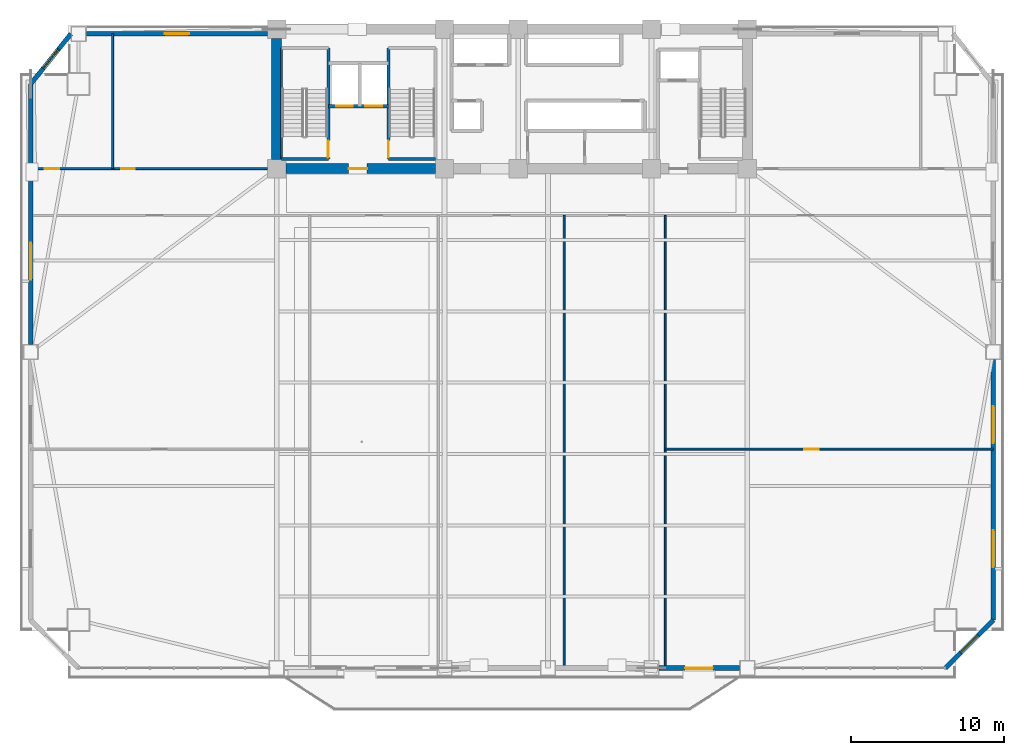
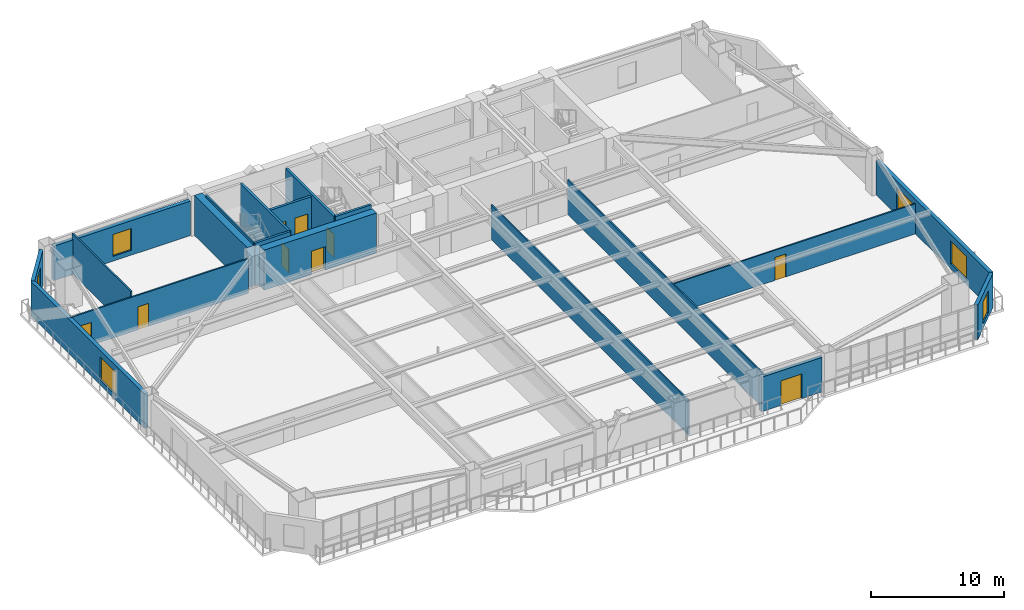
# One storey, part 10 of 18: 19 walls, 9 doors, 6 windows, 15 openings.
"""IFC4 building model written with IfcOpenShell, lengths in metres."""

from ifc_helpers import new_model, si_unit, direction, frame, frame_2d, origin, place, context, subcontext, project, spatial, rectangle, extrude, source, transform, mapped, material, layer, layer_set, type_object, element, fill, save


model = new_model("IFC4")

# Units and contexts
model_context = context("Model", 3, precision=1e-05, world=origin(), true_north=direction((0.0, 1.0)))
body_context = subcontext(model_context, "Body", "Model", "MODEL_VIEW")
ifc_project = project(units=[si_unit("LENGTHUNIT", "METRE"), si_unit("AREAUNIT", "SQUARE_METRE"), si_unit("VOLUMEUNIT", "CUBIC_METRE"), si_unit("PLANEANGLEUNIT", "RADIAN"), si_unit("MASSUNIT", "GRAM", prefix="KILO")], contexts=[model_context])

# Site, building, storey
site_placement = place(None, origin())
site = spatial("IfcSite", under=ifc_project, at=site_placement, CompositionType="ELEMENT")
building_placement = place(site_placement, origin())
building = spatial("IfcBuilding", under=site, at=building_placement, Name="Giltprow Tower", CompositionType="ELEMENT")
storey_placement = place(building_placement, frame((0.0, 0.0, 61.10009765625)))
storey = spatial("IfcBuildingStorey", under=building, at=storey_placement, Name="L15", CompositionType="ELEMENT", Elevation=61.10009765625)

# Wall, opening, window
ifc_material_1 = material(Name="Precast concrete C40", Category="concrete")
ifc_layer_1 = layer(ifc_material_1, 0.300048828125, Name="Precast concrete C40")
ifc_layer_set_1 = layer_set([ifc_layer_1], Name="Precast concrete C40")
wall_type_1 = type_object("IfcWallType", Name="EW-NOTCH-CHAMFER-300", PredefinedType="SOLIDWALL", material=ifc_layer_set_1)
wall_1_placement = place(storey_placement, frame((63.47412109375, 4.882080078125, 0.0), z_axis=(0.0, 0.0, 1.0), x_axis=(0.707106781187, 0.707106781187, 0.0)))
wall_1 = element("IfcWall", 1, at=wall_1_placement, inside=storey, type_object=wall_type_1, Name="L15 Corner Notch Wall SE", PredefinedType="SOLIDWALL", context=body_context, shape_type="SweptSolid", body=[
    extrude(rectangle(XDim=4.4150390625, YDim=0.300048828125, at=frame_2d((2.20751953125, 0.0))), origin(), (0.0, 0.0, 1.0), 3.159912109375),
])
opening_1_placement = place(wall_1_placement, frame((1.407958984375, 0.0, 0.449951171875)))
opening_1 = element("IfcOpeningElement", 2, at=opening_1_placement, cuts=wall_1, Name="Opening WN17", PredefinedType="OPENING", context=body_context, shape_type="SweptSolid", body=[
    extrude(rectangle(XDim=1.60009765625, YDim=2.0, at=frame_2d((0.800048828125, 1.0))), frame((0.0, 0.159912109375, 0.0), z_axis=(0.0, -1.0, 0.0), x_axis=(1.0, 0.0, 0.0)), (0.0, 0.0, 1.0), 0.320068359375),
])
ifc_material_2 = material(Name="Insulated glass", Category="glass")
window_type_1 = type_object("IfcWindowType", Name="WN-COR-1600x2000", PartitioningType="SINGLE_PANEL", PredefinedType="WINDOW", material=ifc_material_2)
shared_shape_1 = source(origin(), body_context, "Body", "SweptSolid", [
    extrude(rectangle(XDim=1.60009765625, YDim=2.0, at=frame_2d((0.800048828125, 1.0))), frame((0.0, 0.030029296875, 0.0), z_axis=(0.0, -1.0, 0.0), x_axis=(1.0, 0.0, 0.0)), (0.0, 0.0, 1.0), 0.06005859375),
])
window_1_placement = place(opening_1_placement, origin())
window_1 = element("IfcWindow", 3, at=window_1_placement, inside=storey, type_object=window_type_1, Name="L15 Corner Notch Window SE", OverallHeight=2.0, OverallWidth=1.60009765625, PartitioningType="SINGLE_PANEL", PredefinedType="WINDOW", context=body_context, shape_type="MappedRepresentation", body=[
    mapped(shared_shape_1, transform((0.0, 0.0, 0.0), x_axis=(1.0, 0.0, 0.0), y_axis=(0.0, 1.0, 0.0), z_axis=(0.0, 0.0, 1.0), scale=1.0)),
])
fill(opening_1, window_1)

wall_2_placement = place(storey_placement, frame((6.427001953125, 46.25, 0.0), z_axis=(0.0, 0.0, 1.0), x_axis=(-0.625348097159, -0.780345921614, 0.0)))
wall_2 = element("IfcWall", 4, at=wall_2_placement, inside=storey, type_object=wall_type_1, Name="L15 Corner Notch Wall NW", PredefinedType="SOLIDWALL", context=body_context, shape_type="SweptSolid", body=[
    extrude(rectangle(XDim=4.19287109375, YDim=0.300048828125, at=frame_2d((2.096435546875, 0.0))), origin(), (0.0, 0.0, 1.0), 3.159912109375),
])
opening_2_placement = place(wall_2_placement, frame((1.2958984375, 0.0, 0.449951171875)))
opening_2 = element("IfcOpeningElement", 5, at=opening_2_placement, cuts=wall_2, Name="Opening WN17", PredefinedType="OPENING", context=body_context, shape_type="SweptSolid", body=[
    extrude(rectangle(XDim=1.60009765625, YDim=2.0, at=frame_2d((0.800048828125, 1.0))), frame((0.0, 0.159912109375, 0.0), z_axis=(0.0, -1.0, 0.0), x_axis=(1.0, 0.0, 0.0)), (0.0, 0.0, 1.0), 0.320068359375),
])
window_2_placement = place(opening_2_placement, origin())
window_2 = element("IfcWindow", 6, at=window_2_placement, inside=storey, type_object=window_type_1, Name="L15 Corner Notch Window NW", OverallHeight=2.0, OverallWidth=1.60009765625, PartitioningType="SINGLE_PANEL", PredefinedType="WINDOW", context=body_context, shape_type="MappedRepresentation", body=[
    mapped(shared_shape_1, transform((0.0, 0.0, 0.0), x_axis=(1.0, 0.0, 0.0), y_axis=(0.0, 1.0, 0.0), z_axis=(0.0, 0.0, 1.0), scale=1.0)),
])
fill(opening_2, window_2)

# Wall, opening, door
ifc_layer_2 = layer(ifc_material_1, 0.320068359375, Name="Precast concrete C40")
ifc_layer_set_2 = layer_set([ifc_layer_2], Name="Precast concrete C40")
wall_type_2 = type_object("IfcWallType", Name="EW-TOW-STONE-320", PredefinedType="SOLIDWALL", material=ifc_layer_set_2)
wall_3_placement = place(storey_placement, frame((44.800048828125, 4.882080078125, 0.0), z_axis=(0.0, 0.0, 1.0), x_axis=(1.0, 0.0, 0.0)))
wall_3 = element("IfcWall", 7, at=wall_3_placement, inside=storey, type_object=wall_type_2, Name="L15 South Expressed Frame Wall 5", PredefinedType="SOLIDWALL", context=body_context, shape_type="SweptSolid", body=[
    extrude(rectangle(XDim=5.25, YDim=0.320068359375, at=frame_2d((2.625, 0.0))), origin(), (0.0, 0.0, 1.0), 3.159912109375),
])
opening_3_placement = place(wall_3_placement, frame((1.699951171875, 0.0, 0.0)))
opening_3 = element("IfcOpeningElement", 8, at=opening_3_placement, cuts=wall_3, Name="Opening ED25", PredefinedType="OPENING", context=body_context, shape_type="SweptSolid", body=[
    extrude(rectangle(XDim=1.800048828125, YDim=2.25, at=frame_2d((0.89990234375, 1.125))), frame((0.0, 0.169921875, 0.0), z_axis=(0.0, -1.0, 0.0), x_axis=(1.0, 0.0, 0.0)), (0.0, 0.0, 1.0), 0.340087890625),
])
ifc_material_3 = material(Name="Anodized bronze and glass", Category="glass")
door_type_1 = type_object("IfcDoorType", Name="DR-BALC-SLIDE-1800", OperationType="SLIDING_TO_LEFT", PredefinedType="DOOR", material=ifc_material_3)
shared_shape_2 = source(origin(), body_context, "Body", "SweptSolid", [
    extrude(rectangle(XDim=1.800048828125, YDim=2.25, at=frame_2d((0.89990234375, 1.125))), frame((0.0, 0.02490234375, 0.0), z_axis=(0.0, -1.0, 0.0), x_axis=(1.0, 0.0, 0.0)), (0.0, 0.0, 1.0), 0.050048828125),
])
door_1_placement = place(opening_3_placement, origin())
door_1 = element("IfcDoor", 9, at=door_1_placement, inside=storey, type_object=door_type_1, Name="L15 Waterfront Balcony Sliding Door 2", OperationType="SLIDING_TO_LEFT", OverallHeight=2.25, OverallWidth=1.800048828125, PredefinedType="DOOR", context=body_context, shape_type="MappedRepresentation", body=[
    mapped(shared_shape_2, transform((0.0, 0.0, 0.0), x_axis=(1.0, 0.0, 0.0), y_axis=(0.0, 1.0, 0.0), z_axis=(0.0, 0.0, 1.0), scale=1.0)),
])
fill(opening_3, door_1)

# Wall, opening, window
wall_4_placement = place(storey_placement, frame((3.804931640625, 25.990966796875, 0.0), z_axis=(0.0, 0.0, 1.0), x_axis=(0.0, 1.0, 0.0)))
wall_4 = element("IfcWall", 10, at=wall_4_placement, inside=storey, type_object=wall_type_2, Name="L15 W Wing Masonry Wall 2", PredefinedType="SOLIDWALL", context=body_context, shape_type="SweptSolid", body=[
    extrude(rectangle(XDim=16.987060546875, YDim=0.320068359375, at=frame_2d((8.49365234375, 0.0))), origin(), (0.0, 0.0, 1.0), 3.159912109375),
])
opening_4_placement = place(wall_4_placement, frame((4.222900390625, 0.0, 0.449951171875)))
opening_4 = element("IfcOpeningElement", 11, at=opening_4_placement, cuts=wall_4, Name="Opening WN29", PredefinedType="OPENING", context=body_context, shape_type="SweptSolid", body=[
    extrude(rectangle(XDim=2.39990234375, YDim=2.10009765625, at=frame_2d((1.199951171875, 1.050048828125))), frame((0.0, 0.169921875, 0.0), z_axis=(0.0, -1.0, 0.0), x_axis=(1.0, 0.0, 0.0)), (0.0, 0.0, 1.0), 0.340087890625),
])
window_type_2 = type_object("IfcWindowType", Name="WN-OFF-2400x2100", PartitioningType="DOUBLE_PANEL_VERTICAL", PredefinedType="WINDOW", material=ifc_material_2)
shared_shape_3 = source(origin(), body_context, "Body", "SweptSolid", [
    extrude(rectangle(XDim=2.39990234375, YDim=2.10009765625, at=frame_2d((1.199951171875, 1.050048828125))), frame((0.0, 0.030029296875, 0.0), z_axis=(0.0, -1.0, 0.0), x_axis=(1.0, 0.0, 0.0)), (0.0, 0.0, 1.0), 0.06005859375),
])
window_3_placement = place(opening_4_placement, origin())
window_3 = element("IfcWindow", 12, at=window_3_placement, inside=storey, type_object=window_type_2, Name="L15 W Wing Window 2-1", OverallHeight=2.10009765625, OverallWidth=2.39990234375, PartitioningType="SINGLE_PANEL", PredefinedType="WINDOW", context=body_context, shape_type="MappedRepresentation", body=[
    mapped(shared_shape_3, transform((0.0, 0.0, 0.0), x_axis=(1.0, 0.0, 0.0), y_axis=(0.0, 1.0, 0.0), z_axis=(0.0, 0.0, 1.0), scale=1.0)),
])
fill(opening_4, window_3)

# Wall, openings, windows
wall_5_placement = place(storey_placement, frame((66.595947265625, 8.00390625, 0.0), z_axis=(0.0, 0.0, 1.0), x_axis=(0.0, 1.0, 0.0)))
wall_5 = element("IfcWall", 13, at=wall_5_placement, inside=storey, type_object=wall_type_2, Name="L15 E Wing Masonry Wall 1", PredefinedType="SOLIDWALL", context=body_context, shape_type="SweptSolid", body=[
    extrude(rectangle(XDim=16.987060546875, YDim=0.320068359375, at=frame_2d((8.49365234375, 0.0))), origin(), (0.0, 0.0, 1.0), 3.159912109375),
])
opening_5_placement = place(wall_5_placement, frame((3.45703125, 0.0, 0.449951171875)))
opening_5 = element("IfcOpeningElement", 14, at=opening_5_placement, cuts=wall_5, Name="Opening WN29", PredefinedType="OPENING", context=body_context, shape_type="SweptSolid", body=[
    extrude(rectangle(XDim=2.39990234375, YDim=2.10009765625, at=frame_2d((1.199951171875, 1.050048828125))), frame((0.0, 0.169921875, 0.0), z_axis=(0.0, -1.0, 0.0), x_axis=(1.0, 0.0, 0.0)), (0.0, 0.0, 1.0), 0.340087890625),
])
opening_6_placement = place(wall_5_placement, frame((11.551025390625, 0.0, 0.449951171875)))
opening_6 = element("IfcOpeningElement", 15, at=opening_6_placement, cuts=wall_5, Name="Opening WN29", PredefinedType="OPENING", context=body_context, shape_type="SweptSolid", body=[
    extrude(rectangle(XDim=2.39990234375, YDim=2.10009765625, at=frame_2d((1.199951171875, 1.050048828125))), frame((0.0, 0.169921875, 0.0), z_axis=(0.0, -1.0, 0.0), x_axis=(1.0, 0.0, 0.0)), (0.0, 0.0, 1.0), 0.340087890625),
])
window_4_placement = place(opening_5_placement, origin())
window_4 = element("IfcWindow", 16, at=window_4_placement, inside=storey, type_object=window_type_2, Name="L15 E Wing Window 1-1A", OverallHeight=2.10009765625, OverallWidth=2.39990234375, PartitioningType="SINGLE_PANEL", PredefinedType="WINDOW", context=body_context, shape_type="MappedRepresentation", body=[
    mapped(shared_shape_3, transform((0.0, 0.0, 0.0), x_axis=(1.0, 0.0, 0.0), y_axis=(0.0, 1.0, 0.0), z_axis=(0.0, 0.0, 1.0), scale=1.0)),
])
fill(opening_5, window_4)
window_5_placement = place(opening_6_placement, origin())
window_5 = element("IfcWindow", 17, at=window_5_placement, inside=storey, type_object=window_type_2, Name="L15 E Wing Window 1-1B", OverallHeight=2.10009765625, OverallWidth=2.39990234375, PartitioningType="SINGLE_PANEL", PredefinedType="WINDOW", context=body_context, shape_type="MappedRepresentation", body=[
    mapped(shared_shape_3, transform((0.0, 0.0, 0.0), x_axis=(1.0, 0.0, 0.0), y_axis=(0.0, 1.0, 0.0), z_axis=(0.0, 0.0, 1.0), scale=1.0)),
])
fill(opening_6, window_5)

# Wall, opening, window
wall_6_placement = place(storey_placement, frame((7.427001953125, 46.25, 0.0), z_axis=(0.0, 0.0, 1.0), x_axis=(1.0, 0.0, 0.0)))
wall_6 = element("IfcWall", 18, at=wall_6_placement, inside=storey, type_object=wall_type_2, Name="L15 North-West Wing Wall", PredefinedType="SOLIDWALL", context=body_context, shape_type="SweptSolid", body=[
    extrude(rectangle(XDim=11.822998046875, YDim=0.320068359375, at=frame_2d((5.91162109375, 0.0))), origin(), (0.0, 0.0, 1.0), 3.159912109375),
])
opening_7_placement = place(wall_6_placement, frame((5.112060546875, 0.0, 0.449951171875)))
opening_7 = element("IfcOpeningElement", 19, at=opening_7_placement, cuts=wall_6, Name="Opening WN17", PredefinedType="OPENING", context=body_context, shape_type="SweptSolid", body=[
    extrude(rectangle(XDim=1.60009765625, YDim=2.0, at=frame_2d((0.800048828125, 1.0))), frame((0.0, 0.169921875, 0.0), z_axis=(0.0, -1.0, 0.0), x_axis=(1.0, 0.0, 0.0)), (0.0, 0.0, 1.0), 0.340087890625),
])
window_6_placement = place(opening_7_placement, origin())
window_6 = element("IfcWindow", 20, at=window_6_placement, inside=storey, type_object=window_type_1, Name="L15 North-West Window", OverallHeight=2.0, OverallWidth=1.60009765625, PartitioningType="SINGLE_PANEL", PredefinedType="WINDOW", context=body_context, shape_type="MappedRepresentation", body=[
    mapped(shared_shape_1, transform((0.0, 0.0, 0.0), x_axis=(1.0, 0.0, 0.0), y_axis=(0.0, 1.0, 0.0), z_axis=(0.0, 0.0, 1.0), scale=1.0)),
])
fill(opening_7, window_6)

# Walls
ifc_material_4 = material(Name="Gypsum stud partition", Category="gypsum")
ifc_layer_3 = layer(ifc_material_4, 0.1201171875, Name="Gypsum stud partition")
ifc_layer_set_3 = layer_set([ifc_layer_3], Name="Gypsum stud partition")
wall_type_3 = type_object("IfcWallType", Name="IW-ROOM-120", PredefinedType="PARTITIONING", material=ifc_layer_set_3)
for number, where, z_axis, x_axis, name in (
    (21, (38.60009765625, 4.882080078125, 0.0), (0.0, 0.0, 1.0), (0.0, 1.0, 0.0), "L15 Office Partition 3"),
    (22, (45.199951171875, 4.882080078125, 0.0), (0.0, 0.0, 1.0), (0.0, 1.0, 0.0), "L15 Office Partition 4"),
):
    element("IfcWall", number, at=place(storey_placement, frame(where, z_axis=z_axis, x_axis=x_axis)), inside=storey, type_object=wall_type_3, Name=name, PredefinedType="PARTITIONING", context=body_context, shape_type="SweptSolid", body=[
        extrude(rectangle(XDim=29.517822265625, YDim=0.1201171875, at=frame_2d((14.7587890625, 0.0))), origin(), (0.0, 0.0, 1.0), 3.164794921875),
    ])

# Wall, opening, door
wall_7_placement = place(storey_placement, frame((45.199951171875, 19.155029296875, 0.0), z_axis=(0.0, 0.0, 1.0), x_axis=(1.0, 0.0, 0.0)))
wall_7 = element("IfcWall", 23, at=wall_7_placement, inside=storey, type_object=wall_type_3, Name="L15 Office Mid Wall 5", PredefinedType="PARTITIONING", context=body_context, shape_type="SweptSolid", body=[
    extrude(rectangle(XDim=21.39599609375, YDim=0.1201171875, at=frame_2d((10.697998046875, 0.0))), origin(), (0.0, 0.0, 1.0), 2.764892578125),
])
opening_8_placement = place(wall_7_placement, frame((9.06494140625, 0.0, 0.0)))
opening_8 = element("IfcOpeningElement", 24, at=opening_8_placement, cuts=wall_7, Name="Opening ID11", PredefinedType="OPENING", context=body_context, shape_type="SweptSolid", body=[
    extrude(rectangle(XDim=0.949951171875, YDim=2.10009765625, at=frame_2d((0.47509765625, 1.050048828125))), frame((0.0, 0.070068359375, 0.0), z_axis=(0.0, -1.0, 0.0), x_axis=(1.0, 0.0, 0.0)), (0.0, 0.0, 1.0), 0.14013671875),
])
ifc_material_5 = material(Name="Engineered timber", Category="wood")
door_type_2 = type_object("IfcDoorType", Name="DR-ROOM-950", OperationType="SINGLE_SWING_RIGHT", PredefinedType="DOOR", material=ifc_material_5)
shared_shape_4 = source(origin(), body_context, "Body", "SweptSolid", [
    extrude(rectangle(XDim=0.949951171875, YDim=2.10009765625, at=frame_2d((0.47509765625, 1.050048828125))), frame((0.0, 0.02490234375, 0.0), z_axis=(0.0, -1.0, 0.0), x_axis=(1.0, 0.0, 0.0)), (0.0, 0.0, 1.0), 0.050048828125),
])
door_2_placement = place(opening_8_placement, origin())
door_2 = element("IfcDoor", 25, at=door_2_placement, inside=storey, type_object=door_type_2, Name="L15 Artisan Studio Shop 5 Inner Door", OperationType="SINGLE_SWING_RIGHT", OverallHeight=2.10009765625, OverallWidth=0.949951171875, PredefinedType="DOOR", context=body_context, shape_type="MappedRepresentation", body=[
    mapped(shared_shape_4, transform((0.0, 0.0, 0.0), x_axis=(1.0, 0.0, 0.0), y_axis=(0.0, 1.0, 0.0), z_axis=(0.0, 0.0, 1.0), scale=1.0)),
])
fill(opening_8, door_2)

# Wall, openings, doors
ifc_material_6 = material(Name="Concrete C40", Category="concrete")
ifc_layer_4 = layer(ifc_material_6, 0.219970703125, Name="Concrete C40")
ifc_layer_set_4 = layer_set([ifc_layer_4], Name="Concrete C40")
wall_type_4 = type_object("IfcWallType", Name="IW-SHAFT-220", PredefinedType="SOLIDWALL", material=ifc_layer_set_4)
wall_8_placement = place(storey_placement, frame((23.219970703125, 41.52001953125, 0.0), z_axis=(0.0, 0.0, 1.0), x_axis=(1.0, 0.0, 0.0)))
wall_8 = element("IfcWall", 26, at=wall_8_placement, inside=storey, type_object=wall_type_4, Name="L15 FFL1 and Service Lift Front Wall", PredefinedType="SOLIDWALL", context=body_context, shape_type="SweptSolid", body=[
    extrude(rectangle(XDim=3.919921875, YDim=0.219970703125, at=frame_2d((1.9599609375, 0.0))), origin(), (0.0, 0.0, 1.0), 3.679931640625),
])
opening_9_placement = place(wall_8_placement, frame((0.5, 0.0, 0.0)))
opening_9 = element("IfcOpeningElement", 27, at=opening_9_placement, cuts=wall_8, Name="Opening LD-11", PredefinedType="OPENING", context=body_context, shape_type="SweptSolid", body=[
    extrude(rectangle(XDim=1.10009765625, YDim=2.199951171875, at=frame_2d((0.550048828125, 1.10009765625))), frame((0.0, 0.119873046875, 0.0), z_axis=(0.0, -1.0, 0.0), x_axis=(1.0, 0.0, 0.0)), (0.0, 0.0, 1.0), 0.239990234375),
])
opening_10_placement = place(wall_8_placement, frame((2.39990234375, 0.0, 0.0)))
opening_10 = element("IfcOpeningElement", 28, at=opening_10_placement, cuts=wall_8, Name="Opening LD-11", PredefinedType="OPENING", context=body_context, shape_type="SweptSolid", body=[
    extrude(rectangle(XDim=1.10009765625, YDim=2.199951171875, at=frame_2d((0.550048828125, 1.10009765625))), frame((0.0, 0.119873046875, 0.0), z_axis=(0.0, -1.0, 0.0), x_axis=(1.0, 0.0, 0.0)), (0.0, 0.0, 1.0), 0.239990234375),
])
ifc_material_7 = material(Name="Stainless steel", Category="steel")
door_type_3 = type_object("IfcDoorType", Name="DR-LIFT-LD1100", OperationType="SLIDING_TO_LEFT", PredefinedType="DOOR", material=ifc_material_7)
shared_shape_5 = source(origin(), body_context, "Body", "SweptSolid", [
    extrude(rectangle(XDim=1.10009765625, YDim=2.199951171875, at=frame_2d((0.550048828125, 1.10009765625))), frame((0.0, 0.02490234375, 0.0), z_axis=(0.0, -1.0, 0.0), x_axis=(1.0, 0.0, 0.0)), (0.0, 0.0, 1.0), 0.050048828125),
])
door_3_placement = place(opening_9_placement, origin())
door_3 = element("IfcDoor", 29, at=door_3_placement, inside=storey, type_object=door_type_3, Name="L15 FFL1 Landing Door", OperationType="SLIDING_TO_LEFT", OverallHeight=2.199951171875, OverallWidth=1.10009765625, PredefinedType="DOOR", context=body_context, shape_type="MappedRepresentation", body=[
    mapped(shared_shape_5, transform((0.0, 0.0, 0.0), x_axis=(1.0, 0.0, 0.0), y_axis=(0.0, 1.0, 0.0), z_axis=(0.0, 0.0, 1.0), scale=1.0)),
])
fill(opening_9, door_3)
door_4_placement = place(opening_10_placement, origin())
door_4 = element("IfcDoor", 30, at=door_4_placement, inside=storey, type_object=door_type_3, Name="L15 SVL1 Landing Door", OperationType="SLIDING_TO_LEFT", OverallHeight=2.199951171875, OverallWidth=1.10009765625, PredefinedType="DOOR", context=body_context, shape_type="MappedRepresentation", body=[
    mapped(shared_shape_5, transform((0.0, 0.0, 0.0), x_axis=(1.0, 0.0, 0.0), y_axis=(0.0, 1.0, 0.0), z_axis=(0.0, 0.0, 1.0), scale=1.0)),
])
fill(opening_10, door_4)

# Wall
ifc_material_8 = material(Name="Concrete C45", Category="concrete")
ifc_layer_5 = layer(ifc_material_8, 0.139892578125, Name="Concrete C45")
ifc_layer_set_5 = layer_set([ifc_layer_5], Name="Concrete C45")
wall_type_5 = type_object("IfcWallType", Name="IW-STAIR-140", PredefinedType="SOLIDWALL", material=ifc_layer_set_5)
wall_9_placement = place(storey_placement, frame((20.169921875, 38.070068359375, 0.0), z_axis=(0.0, 0.0, 1.0), x_axis=(0.0, 1.0, 0.0)))
element("IfcWall", 31, at=wall_9_placement, inside=storey, type_object=wall_type_5, Name="L15 Stair ST-1 West Bearing Wall", PredefinedType="SOLIDWALL", context=body_context, shape_type="SweptSolid", body=[
    extrude(rectangle(XDim=7.25, YDim=0.139892578125, at=frame_2d((3.625, 0.0))), origin(), (0.0, 0.0, 1.0), 3.89990234375),
])

# Wall, opening, door
ifc_layer_6 = layer(ifc_material_6, 0.199951171875, Name="Concrete C40")
ifc_layer_set_6 = layer_set([ifc_layer_6], Name="Concrete C40")
wall_type_6 = type_object("IfcWallType", Name="IW-STAIR-200", PredefinedType="SOLIDWALL", material=ifc_layer_set_6)
wall_10_placement = place(storey_placement, frame((23.219970703125, 38.070068359375, 0.0), z_axis=(0.0, 0.0, 1.0), x_axis=(0.0, 1.0, 0.0)))
wall_10 = element("IfcWall", 32, at=wall_10_placement, inside=storey, type_object=wall_type_6, Name="L15 Stair ST-1 East Bearing Wall", PredefinedType="SOLIDWALL", context=body_context, shape_type="SweptSolid", body=[
    extrude(rectangle(XDim=7.25, YDim=0.199951171875, at=frame_2d((3.625, 0.0))), origin(), (0.0, 0.0, 1.0), 3.89990234375),
])
opening_11_placement = place(wall_10_placement, frame((0.110107421875, 0.0, 0.0)))
opening_11 = element("IfcOpeningElement", 33, at=opening_11_placement, cuts=wall_10, Name="Opening ID33", PredefinedType="OPENING", context=body_context, shape_type="SweptSolid", body=[
    extrude(rectangle(XDim=1.10009765625, YDim=2.14990234375, at=frame_2d((0.550048828125, 1.074951171875))), frame((0.0, 0.10986328125, 0.0), z_axis=(0.0, -1.0, 0.0), x_axis=(1.0, 0.0, 0.0)), (0.0, 0.0, 1.0), 0.219970703125),
])
ifc_material_9 = material(Name="Steel fire leaf", Category="steel")
door_type_4 = type_object("IfcDoorType", Name="DR-STAIR-1100", OperationType="SINGLE_SWING_LEFT", PredefinedType="DOOR", material=ifc_material_9)
shared_shape_6 = source(origin(), body_context, "Body", "SweptSolid", [
    extrude(rectangle(XDim=1.10009765625, YDim=2.14990234375, at=frame_2d((0.550048828125, 1.074951171875))), frame((0.0, 0.02490234375, 0.0), z_axis=(0.0, -1.0, 0.0), x_axis=(1.0, 0.0, 0.0)), (0.0, 0.0, 1.0), 0.050048828125),
])
door_5_placement = place(opening_11_placement, origin())
door_5 = element("IfcDoor", 34, at=door_5_placement, inside=storey, type_object=door_type_4, Name="L15 Stair ST-1 Fire Door", OperationType="SINGLE_SWING_LEFT", OverallHeight=2.14990234375, OverallWidth=1.10009765625, PredefinedType="DOOR", context=body_context, shape_type="MappedRepresentation", body=[
    mapped(shared_shape_6, transform((0.0, 0.0, 0.0), x_axis=(1.0, 0.0, 0.0), y_axis=(0.0, 1.0, 0.0), z_axis=(0.0, 0.0, 1.0), scale=1.0)),
])
fill(opening_11, door_5)

# Wall
wall_11_placement = place(storey_placement, frame((20.169921875, 38.070068359375, 0.0), z_axis=(0.0, 0.0, 1.0), x_axis=(1.0, 0.0, 0.0)))
element("IfcWall", 35, at=wall_11_placement, inside=storey, type_object=wall_type_6, Name="L15 Stair ST-1 South Bearing Wall", PredefinedType="SOLIDWALL", context=body_context, shape_type="SweptSolid", body=[
    extrude(rectangle(XDim=3.050048828125, YDim=0.199951171875, at=frame_2d((1.52490234375, 0.0))), origin(), (0.0, 0.0, 1.0), 3.89990234375),
])

# Wall, opening, door
wall_12_placement = place(storey_placement, frame((27.139892578125, 38.070068359375, 0.0), z_axis=(0.0, 0.0, 1.0), x_axis=(0.0, 1.0, 0.0)))
wall_12 = element("IfcWall", 36, at=wall_12_placement, inside=storey, type_object=wall_type_6, Name="L15 Stair ST-2 West Bearing Wall", PredefinedType="SOLIDWALL", context=body_context, shape_type="SweptSolid", body=[
    extrude(rectangle(XDim=7.25, YDim=0.199951171875, at=frame_2d((3.625, 0.0))), origin(), (0.0, 0.0, 1.0), 3.89990234375),
])
opening_12_placement = place(wall_12_placement, frame((0.110107421875, 0.0, 0.0)))
opening_12 = element("IfcOpeningElement", 37, at=opening_12_placement, cuts=wall_12, Name="Opening ID33", PredefinedType="OPENING", context=body_context, shape_type="SweptSolid", body=[
    extrude(rectangle(XDim=1.10009765625, YDim=2.14990234375, at=frame_2d((0.550048828125, 1.074951171875))), frame((0.0, 0.10986328125, 0.0), z_axis=(0.0, -1.0, 0.0), x_axis=(1.0, 0.0, 0.0)), (0.0, 0.0, 1.0), 0.219970703125),
])
door_6_placement = place(opening_12_placement, origin())
door_6 = element("IfcDoor", 38, at=door_6_placement, inside=storey, type_object=door_type_4, Name="L15 Stair ST-2 Fire Door", OperationType="SINGLE_SWING_RIGHT", OverallHeight=2.14990234375, OverallWidth=1.10009765625, PredefinedType="DOOR", context=body_context, shape_type="MappedRepresentation", body=[
    mapped(shared_shape_6, transform((0.0, 0.0, 0.0), x_axis=(1.0, 0.0, 0.0), y_axis=(0.0, 1.0, 0.0), z_axis=(0.0, 0.0, 1.0), scale=1.0)),
])
fill(opening_12, door_6)

# Wall
wall_13_placement = place(storey_placement, frame((27.139892578125, 38.070068359375, 0.0), z_axis=(0.0, 0.0, 1.0), x_axis=(1.0, 0.0, 0.0)))
element("IfcWall", 39, at=wall_13_placement, inside=storey, type_object=wall_type_6, Name="L15 Stair ST-2 South Bearing Wall", PredefinedType="SOLIDWALL", context=body_context, shape_type="SweptSolid", body=[
    extrude(rectangle(XDim=3.080078125, YDim=0.199951171875, at=frame_2d((1.5400390625, 0.0))), origin(), (0.0, 0.0, 1.0), 3.89990234375),
])

# Wall, openings, doors
ifc_material_10 = material(Name="Concrete C30", Category="concrete")
ifc_layer_7 = layer(ifc_material_10, 0.1298828125, Name="Concrete C30")
ifc_layer_set_7 = layer_set([ifc_layer_7], Name="Concrete C30")
wall_type_7 = type_object("IfcWallType", Name="IW-WET-130", PredefinedType="PARTITIONING", material=ifc_layer_set_7)
wall_14_placement = place(storey_placement, frame((3.804931640625, 37.449951171875, 0.0), z_axis=(0.0, 0.0, 1.0), x_axis=(1.0, 0.0, 0.0)))
wall_14 = element("IfcWall", 40, at=wall_14_placement, inside=storey, type_object=wall_type_7, Name="L15 NW Wing South Wall", PredefinedType="PARTITIONING", context=body_context, shape_type="SweptSolid", body=[
    extrude(rectangle(XDim=15.445068359375, YDim=0.1298828125, at=frame_2d((7.72265625, 0.0))), origin(), (0.0, 0.0, 1.0), 3.164794921875),
])
opening_13_placement = place(wall_14_placement, frame((0.89990234375, 0.0, 0.0)))
opening_13 = element("IfcOpeningElement", 41, at=opening_13_placement, cuts=wall_14, Name="Opening ID11", PredefinedType="OPENING", context=body_context, shape_type="SweptSolid", body=[
    extrude(rectangle(XDim=0.949951171875, YDim=2.10009765625, at=frame_2d((0.47509765625, 1.050048828125))), frame((0.0, 0.074951171875, 0.0), z_axis=(0.0, -1.0, 0.0), x_axis=(1.0, 0.0, 0.0)), (0.0, 0.0, 1.0), 0.14990234375),
])
opening_14_placement = place(wall_14_placement, frame((5.89892578125, 0.0, 0.0)))
opening_14 = element("IfcOpeningElement", 42, at=opening_14_placement, cuts=wall_14, Name="Opening ID15", PredefinedType="OPENING", context=body_context, shape_type="SweptSolid", body=[
    extrude(rectangle(XDim=0.89990234375, YDim=2.10009765625, at=frame_2d((0.449951171875, 1.050048828125))), frame((0.0, 0.074951171875, 0.0), z_axis=(0.0, -1.0, 0.0), x_axis=(1.0, 0.0, 0.0)), (0.0, 0.0, 1.0), 0.14990234375),
])
door_type_5 = type_object("IfcDoorType", Name="DR-WC-900", OperationType="SINGLE_SWING_LEFT", PredefinedType="DOOR", material=ifc_material_5)
shared_shape_7 = source(origin(), body_context, "Body", "SweptSolid", [
    extrude(rectangle(XDim=0.89990234375, YDim=2.10009765625, at=frame_2d((0.449951171875, 1.050048828125))), frame((0.0, 0.02490234375, 0.0), z_axis=(0.0, -1.0, 0.0), x_axis=(1.0, 0.0, 0.0)), (0.0, 0.0, 1.0), 0.050048828125),
])
door_7_placement = place(opening_14_placement, origin())
door_7 = element("IfcDoor", 43, at=door_7_placement, inside=storey, type_object=door_type_5, Name="L15 NW Washroom Door", OperationType="SINGLE_SWING_RIGHT", OverallHeight=2.10009765625, OverallWidth=0.89990234375, PredefinedType="DOOR", context=body_context, shape_type="MappedRepresentation", body=[
    mapped(shared_shape_7, transform((0.0, 0.0, 0.0), x_axis=(1.0, 0.0, 0.0), y_axis=(0.0, 1.0, 0.0), z_axis=(0.0, 0.0, 1.0), scale=1.0)),
])
fill(opening_14, door_7)
door_8_placement = place(opening_13_placement, origin())
door_8 = element("IfcDoor", 44, at=door_8_placement, inside=storey, type_object=door_type_2, Name="L15 West Tenant Office West Door", OperationType="SINGLE_SWING_LEFT", OverallHeight=2.10009765625, OverallWidth=0.949951171875, PredefinedType="DOOR", context=body_context, shape_type="MappedRepresentation", body=[
    mapped(shared_shape_4, transform((0.0, 0.0, 0.0), x_axis=(1.0, 0.0, 0.0), y_axis=(0.0, 1.0, 0.0), z_axis=(0.0, 0.0, 1.0), scale=1.0)),
])
fill(opening_13, door_8)

# Wall
wall_15_placement = place(storey_placement, frame((9.154052734375, 37.449951171875, 0.0), z_axis=(0.0, 0.0, 1.0), x_axis=(0.0, 1.0, 0.0)))
element("IfcWall", 45, at=wall_15_placement, inside=storey, type_object=wall_type_7, Name="L15 NW Wing Divider", PredefinedType="PARTITIONING", context=body_context, shape_type="SweptSolid", body=[
    extrude(rectangle(XDim=8.800048828125, YDim=0.1298828125, at=frame_2d((4.39990234375, 0.0))), origin(), (0.0, 0.0, 1.0), 3.679931640625),
])

# Wall, opening, door
ifc_material_11 = material(Name="Concrete C60", Category="concrete")
ifc_layer_8 = layer(ifc_material_11, 0.64990234375, Name="Concrete C60")
ifc_layer_set_8 = layer_set([ifc_layer_8], Name="Concrete C60")
wall_type_8 = type_object("IfcWallType", Name="SW-INT-650-C60", PredefinedType="SHEAR", material=ifc_layer_set_8)
wall_16_placement = place(storey_placement, frame((20.449951171875, 37.449951171875, 0.0), z_axis=(0.0, 0.0, 1.0), x_axis=(1.0, 0.0, 0.0)))
wall_16 = element("IfcWall", 46, at=wall_16_placement, inside=storey, type_object=wall_type_8, Name="L15 South Rear Core Shear Wall West", PredefinedType="SHEAR", context=body_context, shape_type="SweptSolid", body=[
    extrude(rectangle(XDim=9.75, YDim=0.64990234375, at=frame_2d((4.875, 0.0))), origin(), (0.0, 0.0, 1.0), 3.679931640625),
])
opening_15_placement = place(wall_16_placement, frame((4.10009765625, 0.0, 0.0)))
opening_15 = element("IfcOpeningElement", 47, at=opening_15_placement, cuts=wall_16, Name="Opening ID19", PredefinedType="OPENING", context=body_context, shape_type="SweptSolid", body=[
    extrude(rectangle(XDim=1.199951171875, YDim=2.14990234375, at=frame_2d((0.60009765625, 1.074951171875))), frame((0.0, 0.3349609375, 0.0), z_axis=(0.0, -1.0, 0.0), x_axis=(1.0, 0.0, 0.0)), (0.0, 0.0, 1.0), 0.669921875),
])
door_type_6 = type_object("IfcDoorType", Name="DR-FFLOBBY-1200", OperationType="SINGLE_SWING_RIGHT", PredefinedType="DOOR", material=ifc_material_9)
shared_shape_8 = source(origin(), body_context, "Body", "SweptSolid", [
    extrude(rectangle(XDim=1.199951171875, YDim=2.14990234375, at=frame_2d((0.60009765625, 1.074951171875))), frame((0.0, 0.02490234375, 0.0), z_axis=(0.0, -1.0, 0.0), x_axis=(1.0, 0.0, 0.0)), (0.0, 0.0, 1.0), 0.050048828125),
])
door_9_placement = place(opening_15_placement, origin())
door_9 = element("IfcDoor", 48, at=door_9_placement, inside=storey, type_object=door_type_6, Name="L15 West Firefighting Lobby Entry Door", OperationType="SINGLE_SWING_RIGHT", OverallHeight=2.14990234375, OverallWidth=1.199951171875, PredefinedType="DOOR", context=body_context, shape_type="MappedRepresentation", body=[
    mapped(shared_shape_8, transform((0.0, 0.0, 0.0), x_axis=(1.0, 0.0, 0.0), y_axis=(0.0, 1.0, 0.0), z_axis=(0.0, 0.0, 1.0), scale=1.0)),
])
fill(opening_15, door_9)

# Wall
wall_17_placement = place(storey_placement, frame((19.85009765625, 38.050048828125, 0.0), z_axis=(0.0, 0.0, 1.0), x_axis=(0.0, 1.0, 0.0)))
element("IfcWall", 49, at=wall_17_placement, inside=storey, type_object=wall_type_8, Name="L15 W Rear Core Shear Wall", PredefinedType="SHEAR", context=body_context, shape_type="SweptSolid", body=[
    extrude(rectangle(XDim=7.89990234375, YDim=0.64990234375, at=frame_2d((3.949951171875, 0.0))), origin(), (0.0, 0.0, 1.0), 3.679931640625),
])

save(model, "model.ifc")
